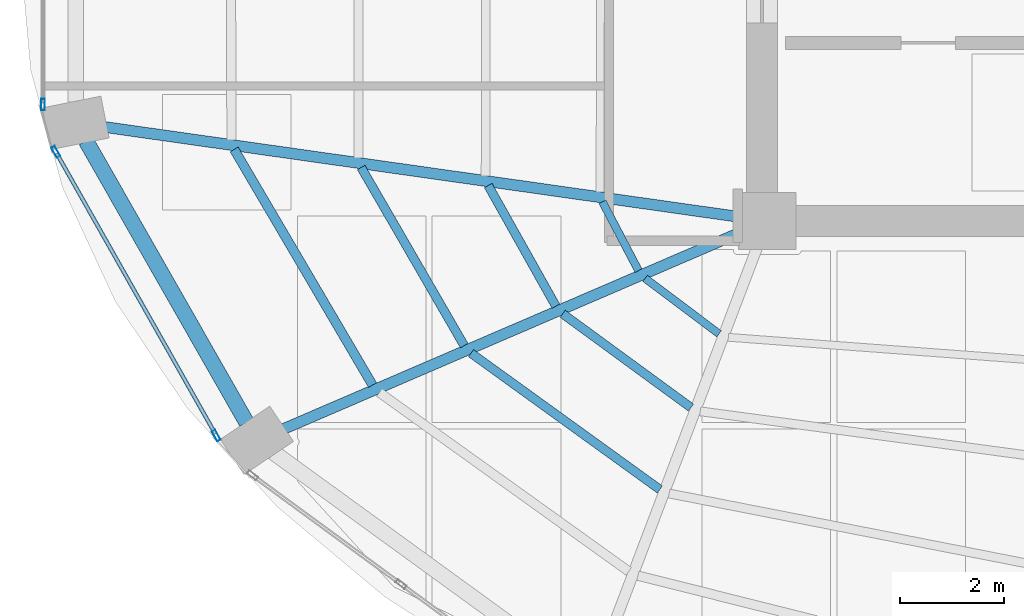
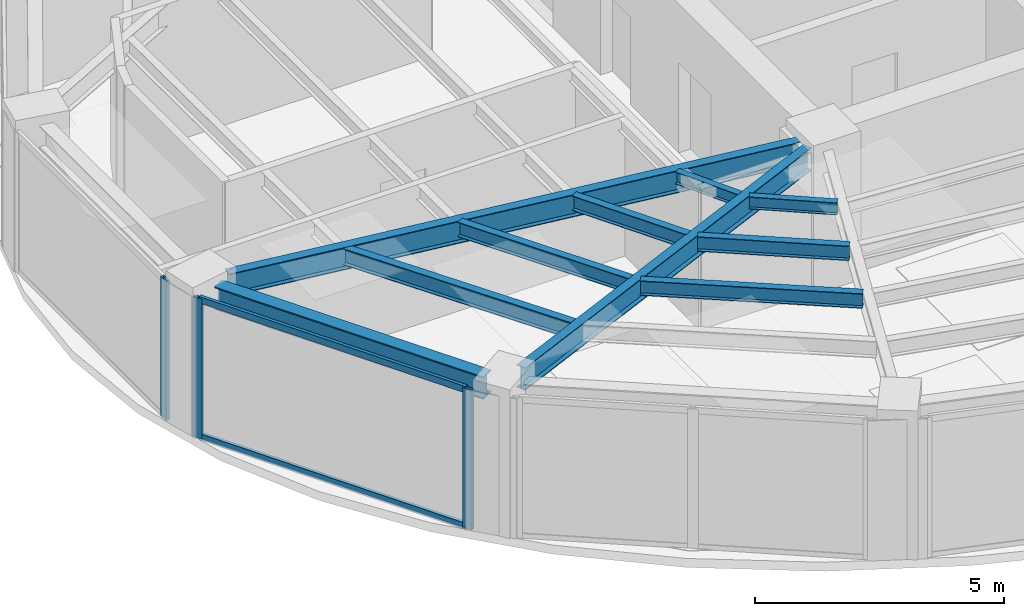
# One storey, part 3 of 19: 10 beams, 5 members, 2 elements without a shape of their own.
"""IFC4 building model written with IfcOpenShell, lengths in metres."""

from ifc_helpers import new_model, si_unit, direction, frame, origin, origin_2d, place, context, subcontext, project, spatial, hollow_rectangle, i_section, extrude, material, layer, layer_set, material_profile, profile_set, type_object, element, aggregate, save


model = new_model("IFC4")

# Units and contexts
model_context = context("Model", 3, precision=1e-05, world=origin(), true_north=direction((0.0, 1.0)))
body_context = subcontext(model_context, "Body", "Model", "MODEL_VIEW")
ifc_project = project(units=[si_unit("LENGTHUNIT", "METRE"), si_unit("AREAUNIT", "SQUARE_METRE"), si_unit("VOLUMEUNIT", "CUBIC_METRE"), si_unit("PLANEANGLEUNIT", "RADIAN"), si_unit("MASSUNIT", "GRAM", prefix="KILO")], contexts=[model_context])

# Site, building, storey
site_placement = place(None, origin())
site = spatial("IfcSite", under=ifc_project, at=site_placement, CompositionType="ELEMENT")
building_placement = place(site_placement, origin())
building = spatial("IfcBuilding", under=site, at=building_placement, Name="Lazwardi Medical Tower", CompositionType="ELEMENT")
storey_placement = place(building_placement, frame((0.0, 0.0, 171.1201171875)))
storey = spatial("IfcBuildingStorey", under=building, at=storey_placement, Name="L44", CompositionType="ELEMENT", Elevation=171.1201171875)

# Beams
ifc_material_1 = material(Name="Steel S355", Category="steel")
ifc_material_profile_1 = material_profile(ifc_material_1, i_section(OverallWidth=0.300048828125, OverallDepth=0.550048828125, WebThickness=0.014892578125, FlangeThickness=0.029052734375, at=origin_2d()), Name="HEB 550")
ifc_profile_set_1 = profile_set([ifc_material_profile_1], Name="Steel S355")
beam_type_1 = type_object("IfcBeamType", Name="BM-RB-Z3", PredefinedType="BEAM", material=ifc_profile_set_1)
beam_1_placement = place(storey_placement, frame((13.272216796875, 21.94091796875, 3.15283203125), z_axis=(0.495460926326, -0.868630226554, 0.0), x_axis=(0.868630226554, 0.495460926326, 0.0)))
element("IfcBeam", 1, at=beam_1_placement, inside=storey, type_object=beam_type_1, Name="Ring beam RB-04 B13 L44", PredefinedType="BEAM", context=body_context, shape_type="SweptSolid", body=[
    extrude(i_section(OverallWidth=0.300048828125, OverallDepth=0.550048828125, WebThickness=0.014892578125, FlangeThickness=0.029052734375, at=origin_2d()), origin(), (0.0, 0.0, 1.0), 6.24462890625),
])
ifc_material_profile_2 = material_profile(ifc_material_1, i_section(OverallWidth=0.2099609375, OverallDepth=0.550048828125, WebThickness=0.010986328125, FlangeThickness=0.01708984375, at=origin_2d()), Name="IPE 550")
ifc_profile_set_2 = profile_set([ifc_material_profile_2], Name="Steel S355")
beam_type_2 = type_object("IfcBeamType", Name="BM-RG-W2", PredefinedType="BEAM", material=ifc_profile_set_2)
beam_2_placement = place(storey_placement, frame((13.628662109375, 22.209716796875, 3.15283203125), z_axis=(0.99010958763, -0.140296131389, 0.0), x_axis=(0.140296131389, 0.99010958763, 0.0)))
element("IfcBeam", 2, at=beam_2_placement, inside=storey, type_object=beam_type_2, Name="Radial girder RG-03 R13 L44", PredefinedType="BEAM", context=body_context, shape_type="SweptSolid", body=[
    extrude(i_section(OverallWidth=0.2099609375, OverallDepth=0.550048828125, WebThickness=0.010986328125, FlangeThickness=0.01708984375, at=origin_2d()), origin(), (0.0, 0.0, 1.0), 12.364013671875),
])
beam_3_placement = place(storey_placement, frame((17.078857421875, 16.390380859375, 3.15283203125), z_axis=(0.918608156288, 0.395169653695, 0.0), x_axis=(-0.395169653695, 0.918608156288, 0.0)))
element("IfcBeam", 3, at=beam_3_placement, inside=storey, type_object=beam_type_2, Name="Radial girder RG-03 R14 L44", PredefinedType="BEAM", context=body_context, shape_type="SweptSolid", body=[
    extrude(i_section(OverallWidth=0.2099609375, OverallDepth=0.550048828125, WebThickness=0.010986328125, FlangeThickness=0.01708984375, at=origin_2d()), origin(), (0.0, 0.0, 1.0), 9.61181640625),
])
ifc_material_profile_3 = material_profile(ifc_material_1, i_section(OverallWidth=0.179931640625, OverallDepth=0.39990234375, WebThickness=0.008544921875, FlangeThickness=0.013427734375, at=origin_2d()), Name="IPE 400")
ifc_profile_set_3 = profile_set([ifc_material_profile_3], Name="Steel S355")
beam_type_3 = type_object("IfcBeamType", Name="BM-SJ-01", PredefinedType="JOIST", material=ifc_profile_set_3)
beam_4_placement = place(storey_placement, frame((16.127685546875, 21.776611328125, 3.227783203125), z_axis=(0.506420212881, -0.862286824662, 0.0), x_axis=(0.862286824662, 0.506420212881, 0.0)))
element("IfcBeam", 4, at=beam_4_placement, inside=storey, type_object=beam_type_3, Name="Secondary joist SJ-01 R1 B13 L44", PredefinedType="JOIST", context=body_context, shape_type="SweptSolid", body=[
    extrude(i_section(OverallWidth=0.179931640625, OverallDepth=0.39990234375, WebThickness=0.008544921875, FlangeThickness=0.013427734375, at=origin_2d()), origin(), (0.0, 0.0, 1.0), 5.265380859375),
])
ifc_material_profile_4 = material_profile(ifc_material_1, i_section(OverallWidth=0.169921875, OverallDepth=0.360107421875, WebThickness=0.008056640625, FlangeThickness=0.0126953125, at=origin_2d()), Name="IPE 360")
ifc_profile_set_4 = profile_set([ifc_material_profile_4], Name="Steel S355")
beam_type_4 = type_object("IfcBeamType", Name="BM-SJ-02", PredefinedType="JOIST", material=ifc_profile_set_4)
beam_5_placement = place(storey_placement, frame((18.5751953125, 21.42919921875, 3.247802734375), z_axis=(0.500640648605, -0.865655209055, 0.0), x_axis=(0.865655209055, 0.500640648605, 0.0)))
element("IfcBeam", 5, at=beam_5_placement, inside=storey, type_object=beam_type_4, Name="Secondary joist SJ-02 R2 B13 L44", PredefinedType="JOIST", context=body_context, shape_type="SweptSolid", body=[
    extrude(i_section(OverallWidth=0.169921875, OverallDepth=0.360107421875, WebThickness=0.008056640625, FlangeThickness=0.0126953125, at=origin_2d()), origin(), (0.0, 0.0, 1.0), 3.965576171875),
])
beam_6_placement = place(storey_placement, frame((20.69189453125, 17.851318359375, 3.247802734375), z_axis=(0.810738039179, -0.585409114917, 0.0), x_axis=(0.585409114917, 0.810738039179, 0.0)))
element("IfcBeam", 6, at=beam_6_placement, inside=storey, type_object=beam_type_4, Name="Secondary joist SJ-02 R2 B14 L44", PredefinedType="JOIST", context=body_context, shape_type="SweptSolid", body=[
    extrude(i_section(OverallWidth=0.169921875, OverallDepth=0.360107421875, WebThickness=0.008056640625, FlangeThickness=0.0126953125, at=origin_2d()), origin(), (0.0, 0.0, 1.0), 4.48779296875),
])
beam_7_placement = place(storey_placement, frame((21.022705078125, 21.081787109375, 3.247802734375), z_axis=(0.489408945026, -0.872054404569, 0.0), x_axis=(0.872054404569, 0.489408945026, 0.0)))
element("IfcBeam", 7, at=beam_7_placement, inside=storey, type_object=beam_type_4, Name="Secondary joist SJ-02 R3 B13 L44", PredefinedType="JOIST", context=body_context, shape_type="SweptSolid", body=[
    extrude(i_section(OverallWidth=0.169921875, OverallDepth=0.360107421875, WebThickness=0.008056640625, FlangeThickness=0.0126953125, at=origin_2d()), origin(), (0.0, 0.0, 1.0), 2.666259765625),
])
beam_8_placement = place(storey_placement, frame((22.45751953125, 18.6103515625, 3.247802734375), z_axis=(0.807285959008, -0.590160470033, 0.0), x_axis=(0.590160470033, 0.807285959008, 0.0)))
element("IfcBeam", 8, at=beam_8_placement, inside=storey, type_object=beam_type_4, Name="Secondary joist SJ-02 R3 B14 L44", PredefinedType="JOIST", context=body_context, shape_type="SweptSolid", body=[
    extrude(i_section(OverallWidth=0.169921875, OverallDepth=0.360107421875, WebThickness=0.008056640625, FlangeThickness=0.0126953125, at=origin_2d()), origin(), (0.0, 0.0, 1.0), 3.06298828125),
])
ifc_material_profile_5 = material_profile(ifc_material_1, i_section(OverallWidth=0.14990234375, OverallDepth=0.300048828125, WebThickness=0.007080078125, FlangeThickness=0.0107421875, at=origin_2d()), Name="IPE 300")
ifc_profile_set_5 = profile_set([ifc_material_profile_5], Name="Steel S355")
beam_type_5 = type_object("IfcBeamType", Name="BM-SJ-03", PredefinedType="JOIST", material=ifc_profile_set_5)
beam_9_placement = place(storey_placement, frame((23.2236328125, 20.768310546875, 3.27783203125), z_axis=(0.464469748171, -0.885588986513, 0.0), x_axis=(0.885588986513, 0.464469748171, 0.0)))
element("IfcBeam", 9, at=beam_9_placement, inside=storey, type_object=beam_type_5, Name="Secondary joist SJ-03 R4 B13 L44", PredefinedType="JOIST", context=body_context, shape_type="SweptSolid", body=[
    extrude(i_section(OverallWidth=0.14990234375, OverallDepth=0.300048828125, WebThickness=0.007080078125, FlangeThickness=0.0107421875, at=origin_2d()), origin(), (0.0, 0.0, 1.0), 1.498046875),
])
beam_10_placement = place(storey_placement, frame((24.0458984375, 19.29296875, 3.27783203125), z_axis=(0.799884834751, -0.600153522972, 0.0), x_axis=(0.600153522972, 0.799884834751, 0.0)))
element("IfcBeam", 10, at=beam_10_placement, inside=storey, type_object=beam_type_5, Name="Secondary joist SJ-03 R4 B14 L44", PredefinedType="JOIST", context=body_context, shape_type="SweptSolid", body=[
    extrude(i_section(OverallWidth=0.14990234375, OverallDepth=0.300048828125, WebThickness=0.007080078125, FlangeThickness=0.0107421875, at=origin_2d()), origin(), (0.0, 0.0, 1.0), 1.781005859375),
])

# Curtain wall, member
ifc_material_2 = material(Name="Anodised bronze aluminium and solar control glazing", Category="aluminium")
ifc_layer = layer(ifc_material_2, 0.195068359375)
ifc_layer_set = layer_set([ifc_layer], Name="Anodised bronze aluminium and solar control glazing")
curtain_wall_type = type_object("IfcCurtainWallType", Name="CW-SYS-03", PredefinedType="NOTDEFINED", material=ifc_layer_set)
curtain_wall_1_placement = place(storey_placement, origin())
curtain_wall_1 = element("IfcCurtainWall", 11, at=curtain_wall_1_placement, inside=storey, type_object=curtain_wall_type, Name="L44 Unitised bronze curtain wall CW-03", PredefinedType="NOTDEFINED")
ifc_material_3 = material(Name="Anodised bronze aluminium", Category="aluminium")
ifc_material_profile_6 = material_profile(ifc_material_3, hollow_rectangle(XDim=0.074951171875, YDim=0.219970703125, WallThickness=0.00390625, at=origin_2d()), Name="ALU-MULLION 220x75x4")
ifc_profile_set_6 = profile_set([ifc_material_profile_6], Name="Anodised bronze aluminium")
member_type_1 = type_object("IfcMemberType", Name="CW-MUL-01", PredefinedType="MULLION", material=ifc_profile_set_6)
member_1_placement = place(storey_placement, frame((12.4423828125, 22.64208984375, 0.0), z_axis=(0.0, 0.0, 1.0), x_axis=(1.0, 0.0, 0.0)))
member_1 = element("IfcMember", 12, at=member_1_placement, type_object=member_type_1, Name="CW-03 mullion 2", PredefinedType="MULLION", context=body_context, shape_type="SweptSolid", body=[
    extrude(hollow_rectangle(XDim=0.074951171875, YDim=0.219970703125, WallThickness=0.00390625, at=origin_2d()), origin(), (0.0, 0.0, 1.0), 3.427978515625),
])
aggregate(curtain_wall_1, [member_1])

# Curtain wall, members
curtain_wall_2_placement = place(storey_placement, origin())
curtain_wall_2 = element("IfcCurtainWall", 13, at=curtain_wall_2_placement, inside=storey, type_object=curtain_wall_type, Name="L44 Unitised bronze curtain wall CW-03", PredefinedType="NOTDEFINED")
member_2_placement = place(storey_placement, frame((12.68896484375, 21.732666015625, 0.0), z_axis=(0.0, 0.0, 1.0), x_axis=(0.870418989303, 0.492311672683, 0.0)))
member_2 = element("IfcMember", 14, at=member_2_placement, type_object=member_type_1, Name="CW-03 mullion 1", PredefinedType="MULLION", context=body_context, shape_type="SweptSolid", body=[
    extrude(hollow_rectangle(XDim=0.074951171875, YDim=0.219970703125, WallThickness=0.00390625, at=origin_2d()), origin(), (0.0, 0.0, 1.0), 3.427978515625),
])
member_3_placement = place(storey_placement, frame((15.782470703125, 16.26318359375, 0.0), z_axis=(0.0, 0.0, 1.0), x_axis=(0.870418989303, 0.492311672683, 0.0)))
member_3 = element("IfcMember", 15, at=member_3_placement, type_object=member_type_1, Name="CW-03 mullion 2", PredefinedType="MULLION", context=body_context, shape_type="SweptSolid", body=[
    extrude(hollow_rectangle(XDim=0.074951171875, YDim=0.219970703125, WallThickness=0.00390625, at=origin_2d()), origin(), (0.0, 0.0, 1.0), 3.427978515625),
])
ifc_material_profile_7 = material_profile(ifc_material_3, hollow_rectangle(XDim=0.074951171875, YDim=0.159912109375, WallThickness=0.00390625, at=origin_2d()), Name="ALU-TRANSOM 160x75x4")
ifc_profile_set_7 = profile_set([ifc_material_profile_7], Name="Anodised bronze aluminium")
member_type_2 = type_object("IfcMemberType", Name="CW-TRN-01", PredefinedType="USERDEFINED", material=ifc_profile_set_7)
member_4_placement = place(storey_placement, frame((12.707275390625, 21.7001953125, 0.037353515625), z_axis=(0.492306010269, -0.870422191958, 0.0), x_axis=(0.870422191958, 0.492306010269, 0.0)))
member_4 = element("IfcMember", 16, at=member_4_placement, type_object=member_type_2, Name="CW-03 transom 1.1", ObjectType="TRANSOM", PredefinedType="USERDEFINED", context=body_context, shape_type="SweptSolid", body=[
    extrude(hollow_rectangle(XDim=0.074951171875, YDim=0.159912109375, WallThickness=0.00390625, at=origin_2d()), origin(), (0.0, 0.0, 1.0), 6.208740234375),
])
member_5_placement = place(storey_placement, frame((12.707275390625, 21.7001953125, 3.390380859375), z_axis=(0.492306010269, -0.870422191958, 0.0), x_axis=(0.870422191958, 0.492306010269, 0.0)))
member_5 = element("IfcMember", 17, at=member_5_placement, type_object=member_type_2, Name="CW-03 transom 1.2", ObjectType="TRANSOM", PredefinedType="USERDEFINED", context=body_context, shape_type="SweptSolid", body=[
    extrude(hollow_rectangle(XDim=0.074951171875, YDim=0.159912109375, WallThickness=0.00390625, at=origin_2d()), origin(), (0.0, 0.0, 1.0), 6.208740234375),
])
aggregate(curtain_wall_2, [member_2, member_3, member_4, member_5])

save(model, "model.ifc")
